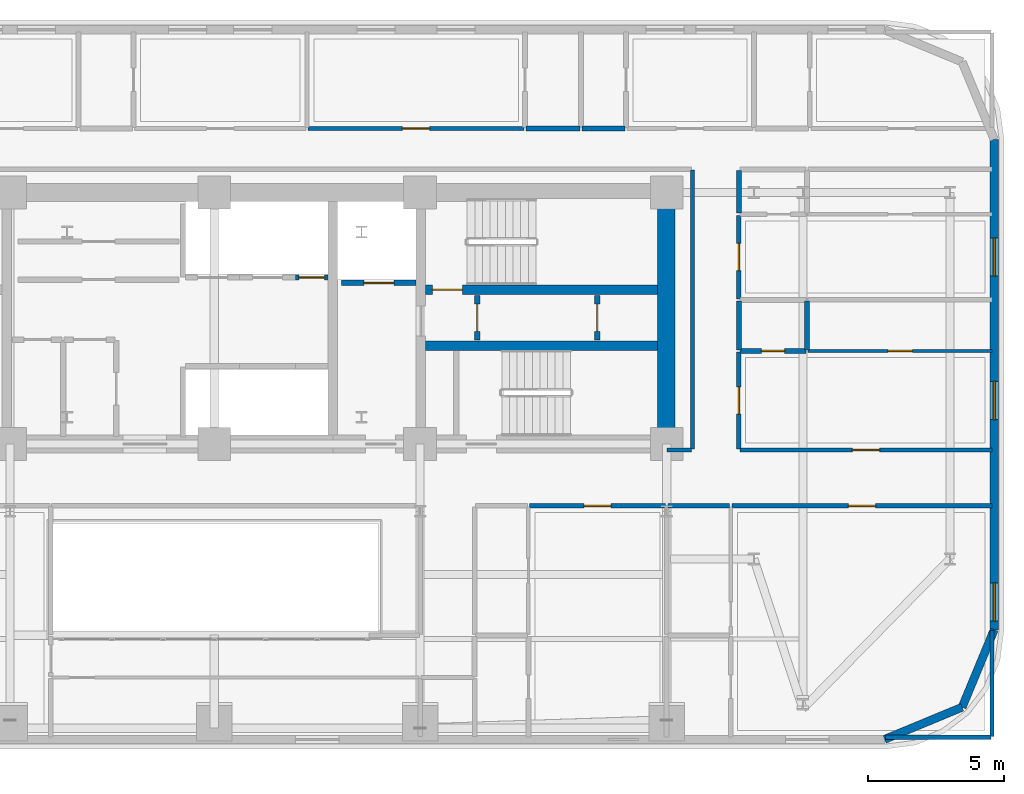
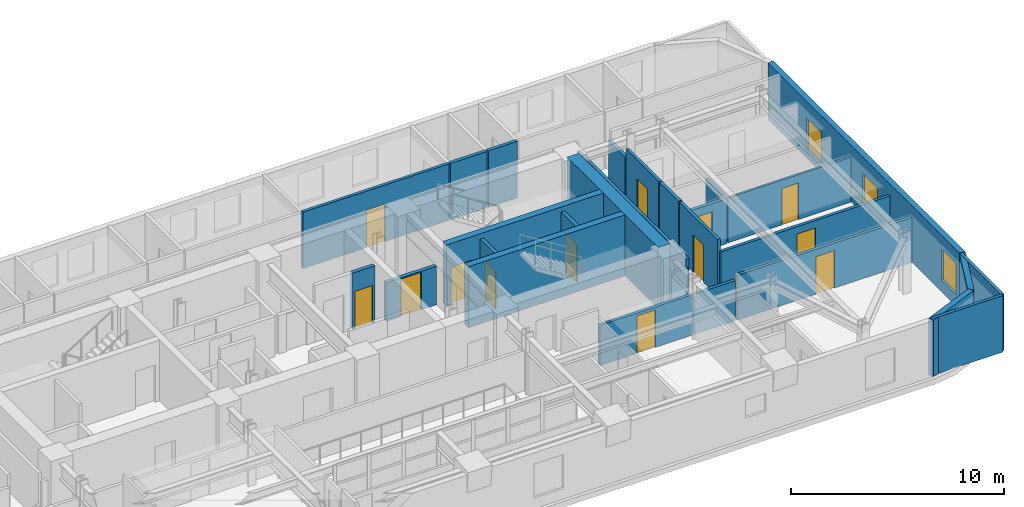
# One storey, part 12 of 16: 28 walls, 13 doors, 3 windows, 16 openings.
"""IFC4 building model written with IfcOpenShell, lengths in metres."""

from ifc_helpers import new_model, si_unit, direction, frame, frame_2d, origin, place, context, subcontext, project, spatial, rectangle, extrude, material, layer, layer_set, type_object, element, fill, save


model = new_model("IFC4")

# Units and contexts
model_context = context("Model", 3, precision=1e-05, world=origin(), true_north=direction((0.0, 1.0)))
body_context = subcontext(model_context, "Body", "Model", "MODEL_VIEW")
ifc_project = project(units=[si_unit("LENGTHUNIT", "METRE"), si_unit("AREAUNIT", "SQUARE_METRE"), si_unit("VOLUMEUNIT", "CUBIC_METRE"), si_unit("PLANEANGLEUNIT", "RADIAN"), si_unit("MASSUNIT", "GRAM", prefix="KILO")], contexts=[model_context])

# Site, building, storey
site_placement = place(None, origin())
site = spatial("IfcSite", under=ifc_project, at=site_placement, CompositionType="ELEMENT")
building_placement = place(site_placement, origin())
building = spatial("IfcBuilding", under=site, at=building_placement, Name="Zarnavel Station Tower", CompositionType="ELEMENT")
storey_placement = place(building_placement, frame((0.0, 0.0, 94.300048828125)))
storey = spatial("IfcBuildingStorey", under=building, at=storey_placement, Name="L25", CompositionType="ELEMENT", Elevation=94.300048828125)

# Wall, opening, door
ifc_material_1 = material(Name="Concrete C50/60", Category="concrete")
ifc_layer_1 = layer(ifc_material_1, 0.35009765625)
ifc_layer_set_1 = layer_set([ifc_layer_1], Name="CW_350")
wall_type_1 = type_object("IfcWallType", Name="CW_350", PredefinedType="SHEAR", material=ifc_layer_set_1)
wall_1_placement = place(storey_placement, frame((45.054931640625, 33.47998046875, 0.0), z_axis=(0.0, 0.0, 1.0), x_axis=(-1.0, 0.0, 0.0)))
wall_1 = element("IfcWall", 1, at=wall_1_placement, inside=storey, type_object=wall_type_1, Name="L25 Rear Core Shear Wall DIV-H2", PredefinedType="SHEAR", context=body_context, shape_type="SweptSolid", body=[
    extrude(rectangle(XDim=8.5, YDim=0.35009765625, at=frame_2d((4.25, 0.0))), origin(), (0.0, 0.0, 1.0), 3.5),
])
opening_1_placement = place(wall_1_placement, frame((7.155029296875, 0.0, 0.0)))
opening_1 = element("IfcOpeningElement", 2, at=opening_1_placement, cuts=wall_1, Name="Opening FD01", PredefinedType="OPENING", context=body_context, shape_type="SweptSolid", body=[
    extrude(rectangle(XDim=1.10009765625, YDim=2.14990234375, at=frame_2d((0.550048828125, 1.074951171875))), frame((0.0, 0.18505859375, 0.0), z_axis=(0.0, -1.0, 0.0), x_axis=(1.0, 0.0, 0.0)), (0.0, 0.0, 1.0), 0.3701171875),
])
ifc_material_2 = material(Name="Painted Galvanised Steel and Hardwood Leaf", Category="steel")
door_type_1 = type_object("IfcDoorType", Name="ID_STAIR_1100", OperationType="NOTDEFINED", PredefinedType="DOOR", material=ifc_material_2)
door_1_placement = place(opening_1_placement, origin())
door_1 = element("IfcDoor", 3, at=door_1_placement, inside=storey, type_object=door_type_1, Name="L25 Stair ST2 Lobby Fire Door", OperationType="SINGLE_SWING_RIGHT", OverallHeight=2.14990234375, OverallWidth=1.10009765625, PredefinedType="DOOR", context=body_context, shape_type="SweptSolid", body=[
    extrude(rectangle(XDim=1.10009765625, YDim=2.14990234375, at=frame_2d((0.550048828125, 1.074951171875))), frame((0.0, 0.02490234375, 0.0), z_axis=(0.0, -1.0, 0.0), x_axis=(1.0, 0.0, 0.0)), (0.0, 0.0, 1.0), 0.050048828125),
])
fill(opening_1, door_1)

# Walls
wall_2_placement = place(storey_placement, frame((36.554931640625, 31.419921875, 0.0), z_axis=(0.0, 0.0, 1.0), x_axis=(1.0, 0.0, 0.0)))
element("IfcWall", 4, at=wall_2_placement, inside=storey, type_object=wall_type_1, Name="L25 Rear Core Shear Wall DIV-H3", PredefinedType="SHEAR", context=body_context, shape_type="SweptSolid", body=[
    extrude(rectangle(XDim=8.5, YDim=0.35009765625, at=frame_2d((4.25, 0.0))), origin(), (0.0, 0.0, 1.0), 3.5),
])
ifc_material_3 = material(Name="Concrete C60/75", Category="concrete")
ifc_layer_2 = layer(ifc_material_3, 0.64990234375)
ifc_layer_set_2 = layer_set([ifc_layer_2], Name="CW_650")
wall_type_2 = type_object("IfcWallType", Name="CW_650", PredefinedType="SHEAR", material=ifc_layer_set_2)
wall_3_placement = place(storey_placement, frame((45.3798828125, 28.14501953125, 0.0), z_axis=(0.0, 0.0, 1.0), x_axis=(0.0, 1.0, 0.0)))
element("IfcWall", 5, at=wall_3_placement, inside=storey, type_object=wall_type_2, Name="L25 Rear Core Shear Wall E", PredefinedType="SHEAR", context=body_context, shape_type="SweptSolid", body=[
    extrude(rectangle(XDim=8.580078125, YDim=0.64990234375, at=frame_2d((4.2900390625, 0.0))), origin(), (0.0, 0.0, 1.0), 3.5),
])
ifc_material_4 = material(Name="Precast concrete C45/55 (Dark Basalt Finish)", Category="masonry")
ifc_layer_3 = layer(ifc_material_4, 0.300048828125)
ifc_layer_set_3 = layer_set([ifc_layer_3], Name="EW_BASALT_300")
wall_type_3 = type_object("IfcWallType", Name="EW_BASALT_300", PredefinedType="SOLIDWALL", material=ifc_layer_set_3)
wall_4_placement = place(storey_placement, frame((56.24267578125, 18.157470703125, 0.0), z_axis=(0.0, 0.0, 1.0), x_axis=(-0.923882414032, -0.382676475685, 0.0)))
element("IfcWall", 6, at=wall_4_placement, inside=storey, type_object=wall_type_3, Name="L25 Exterior Basalt Masonry Frame Wall 01", PredefinedType="SOLIDWALL", context=body_context, shape_type="SweptSolid", body=[
    extrude(rectangle(XDim=3.076904296875, YDim=0.300048828125, at=frame_2d((1.53857421875, 0.0))), origin(), (0.0, 0.0, 1.0), 3.239990234375),
])
wall_5_placement = place(storey_placement, frame((57.419921875, 21.0, 0.0), z_axis=(0.0, 0.0, 1.0), x_axis=(-0.382636798336, -0.92389884758, 0.0)))
element("IfcWall", 7, at=wall_5_placement, inside=storey, type_object=wall_type_3, Name="L25 Exterior Basalt Masonry Frame Wall 02", PredefinedType="SOLIDWALL", context=body_context, shape_type="SweptSolid", body=[
    extrude(rectangle(XDim=3.07666015625, YDim=0.300048828125, at=frame_2d((1.538330078125, 0.0))), origin(), (0.0, 0.0, 1.0), 3.239990234375),
])

# Wall, openings, windows
wall_6_placement = place(storey_placement, frame((57.419921875, 39.0, 0.0), z_axis=(0.0, 0.0, 1.0), x_axis=(0.0, -1.0, 0.0)))
wall_6 = element("IfcWall", 8, at=wall_6_placement, inside=storey, type_object=wall_type_3, Name="L25 Exterior Basalt Masonry Frame Wall 03", PredefinedType="SOLIDWALL", context=body_context, shape_type="SweptSolid", body=[
    extrude(rectangle(XDim=18.0, YDim=0.300048828125, at=frame_2d((9.0, 0.0))), origin(), (0.0, 0.0, 1.0), 3.239990234375),
])
opening_2_placement = place(wall_6_placement, frame((8.882080078125, 0.0, 0.47998046875)))
opening_2 = element("IfcOpeningElement", 9, at=opening_2_placement, cuts=wall_6, Name="Opening WN01", PredefinedType="OPENING", context=body_context, shape_type="SweptSolid", body=[
    extrude(rectangle(XDim=1.39990234375, YDim=1.800048828125, at=frame_2d((0.699951171875, 0.89990234375))), frame((0.0, 0.159912109375, 0.0), z_axis=(0.0, -1.0, 0.0), x_axis=(1.0, 0.0, 0.0)), (0.0, 0.0, 1.0), 0.320068359375),
])
opening_3_placement = place(wall_6_placement, frame((3.62060546875, 0.0, 0.47998046875)))
opening_3 = element("IfcOpeningElement", 10, at=opening_3_placement, cuts=wall_6, Name="Opening WN01", PredefinedType="OPENING", context=body_context, shape_type="SweptSolid", body=[
    extrude(rectangle(XDim=1.39990234375, YDim=1.800048828125, at=frame_2d((0.699951171875, 0.89990234375))), frame((0.0, 0.159912109375, 0.0), z_axis=(0.0, -1.0, 0.0), x_axis=(1.0, 0.0, 0.0)), (0.0, 0.0, 1.0), 0.320068359375),
])
opening_4_placement = place(wall_6_placement, frame((16.280029296875, 0.0, 0.64990234375)))
opening_4 = element("IfcOpeningElement", 11, at=opening_4_placement, cuts=wall_6, Name="Opening WN01", PredefinedType="OPENING", context=body_context, shape_type="SweptSolid", body=[
    extrude(rectangle(XDim=1.39990234375, YDim=1.800048828125, at=frame_2d((0.699951171875, 0.89990234375))), frame((0.0, 0.159912109375, 0.0), z_axis=(0.0, -1.0, 0.0), x_axis=(1.0, 0.0, 0.0)), (0.0, 0.0, 1.0), 0.320068359375),
])
ifc_material_5 = material(Name="Thermally Broken Black Aluminium and Low-E Dark Glass", Category="aluminium")
window_type = type_object("IfcWindowType", Name="WN_1400x1800", PartitioningType="DOUBLE_PANEL_VERTICAL", PredefinedType="WINDOW", material=ifc_material_5)
window_1_placement = place(opening_2_placement, origin())
window_1 = element("IfcWindow", 12, at=window_1_placement, inside=storey, type_object=window_type, Name="L25 Recessed Facade Window 01", OverallHeight=1.800048828125, OverallWidth=1.39990234375, PartitioningType="SINGLE_PANEL", PredefinedType="WINDOW", context=body_context, shape_type="SweptSolid", body=[
    extrude(rectangle(XDim=1.39990234375, YDim=1.800048828125, at=frame_2d((0.699951171875, 0.89990234375))), frame((0.0, 0.030029296875, 0.0), z_axis=(0.0, -1.0, 0.0), x_axis=(1.0, 0.0, 0.0)), (0.0, 0.0, 1.0), 0.06005859375),
])
fill(opening_2, window_1)
window_2_placement = place(opening_3_placement, origin())
window_2 = element("IfcWindow", 13, at=window_2_placement, inside=storey, type_object=window_type, Name="L25 Recessed Facade Window 02", OverallHeight=1.800048828125, OverallWidth=1.39990234375, PartitioningType="SINGLE_PANEL", PredefinedType="WINDOW", context=body_context, shape_type="SweptSolid", body=[
    extrude(rectangle(XDim=1.39990234375, YDim=1.800048828125, at=frame_2d((0.699951171875, 0.89990234375))), frame((0.0, 0.030029296875, 0.0), z_axis=(0.0, -1.0, 0.0), x_axis=(1.0, 0.0, 0.0)), (0.0, 0.0, 1.0), 0.06005859375),
])
fill(opening_3, window_2)
window_3_placement = place(opening_4_placement, origin())
window_3 = element("IfcWindow", 14, at=window_3_placement, inside=storey, type_object=window_type, Name="L25 Recessed Facade Window 03", OverallHeight=1.800048828125, OverallWidth=1.39990234375, PartitioningType="SINGLE_PANEL", PredefinedType="WINDOW", context=body_context, shape_type="SweptSolid", body=[
    extrude(rectangle(XDim=1.39990234375, YDim=1.800048828125, at=frame_2d((0.699951171875, 0.89990234375))), frame((0.0, 0.030029296875, 0.0), z_axis=(0.0, -1.0, 0.0), x_axis=(1.0, 0.0, 0.0)), (0.0, 0.0, 1.0), 0.06005859375),
])
fill(opening_4, window_3)

# Wall, opening, door
ifc_material_6 = material(Name="Gypsum Twin-Stud Acoustic Fire Partition", Category="concrete")
ifc_layer_4 = layer(ifc_material_6, 0.159912109375)
ifc_layer_set_4 = layer_set([ifc_layer_4], Name="PT_DEMISE_160")
wall_type_4 = type_object("IfcWallType", Name="PT_DEMISE_160", PredefinedType="PARTITIONING", material=ifc_layer_set_4)
wall_7_placement = place(storey_placement, frame((48.090087890625, 27.60009765625, 0.0), z_axis=(0.0, 0.0, 1.0), x_axis=(1.0, 0.0, 0.0)))
wall_7 = element("IfcWall", 15, at=wall_7_placement, inside=storey, type_object=wall_type_4, Name="L25 Partition COR-S-FNE1R", PredefinedType="PARTITIONING", context=body_context, shape_type="SweptSolid", body=[
    extrude(rectangle(XDim=9.25, YDim=0.159912109375, at=frame_2d((4.625, 0.0))), origin(), (0.0, 0.0, 1.0), 2.570068359375),
])
opening_5_placement = place(wall_7_placement, frame((4.125, 0.0, 0.0)))
opening_5 = element("IfcOpeningElement", 16, at=opening_5_placement, cuts=wall_7, Name="Opening FD02", PredefinedType="OPENING", context=body_context, shape_type="SweptSolid", body=[
    extrude(rectangle(XDim=1.0, YDim=2.14990234375, at=frame_2d((0.5, 1.074951171875))), frame((0.0, 0.08984375, 0.0), z_axis=(0.0, -1.0, 0.0), x_axis=(1.0, 0.0, 0.0)), (0.0, 0.0, 1.0), 0.179931640625),
])
ifc_material_7 = material(Name="Painted Galvanised Steel and Hardwood Leaf", Category="steel")
door_type_2 = type_object("IfcDoorType", Name="ID_ENTRY_1000", OperationType="NOTDEFINED", PredefinedType="DOOR", material=ifc_material_7)
door_2_placement = place(opening_5_placement, origin())
door_2 = element("IfcDoor", 17, at=door_2_placement, inside=storey, type_object=door_type_2, Name="L25 Door COR-S-FNE1R", OperationType="SINGLE_SWING_RIGHT", OverallHeight=2.14990234375, OverallWidth=1.0, PredefinedType="DOOR", context=body_context, shape_type="SweptSolid", body=[
    extrude(rectangle(XDim=1.0, YDim=2.14990234375, at=frame_2d((0.5, 1.074951171875))), frame((0.0, 0.02490234375, 0.0), z_axis=(0.0, -1.0, 0.0), x_axis=(1.0, 0.0, 0.0)), (0.0, 0.0, 1.0), 0.050048828125),
])
fill(opening_5, door_2)

wall_8_placement = place(storey_placement, frame((40.364013671875, 25.550048828125, 0.0), z_axis=(0.0, 0.0, 1.0), x_axis=(1.0, 0.0, 0.0)))
wall_8 = element("IfcWall", 18, at=wall_8_placement, inside=storey, type_object=wall_type_4, Name="L25 Partition COR-S-HE1R", PredefinedType="PARTITIONING", context=body_context, shape_type="SweptSolid", body=[
    extrude(rectangle(XDim=4.99609375, YDim=0.159912109375, at=frame_2d((2.498046875, 0.0))), origin(), (0.0, 0.0, 1.0), 2.31005859375),
])
opening_6_placement = place(wall_8_placement, frame((1.998046875, 0.0, 0.0)))
opening_6 = element("IfcOpeningElement", 19, at=opening_6_placement, cuts=wall_8, Name="Opening FD02", PredefinedType="OPENING", context=body_context, shape_type="SweptSolid", body=[
    extrude(rectangle(XDim=1.0, YDim=2.14990234375, at=frame_2d((0.5, 1.074951171875))), frame((0.0, 0.08984375, 0.0), z_axis=(0.0, -1.0, 0.0), x_axis=(1.0, 0.0, 0.0)), (0.0, 0.0, 1.0), 0.179931640625),
])
door_3_placement = place(opening_6_placement, origin())
door_3 = element("IfcDoor", 20, at=door_3_placement, inside=storey, type_object=door_type_2, Name="L25 Door COR-S-HE1R", OperationType="SINGLE_SWING_LEFT", OverallHeight=2.14990234375, OverallWidth=1.0, PredefinedType="DOOR", context=body_context, shape_type="SweptSolid", body=[
    extrude(rectangle(XDim=1.0, YDim=2.14990234375, at=frame_2d((0.5, 1.074951171875))), frame((0.0, 0.02490234375, 0.0), z_axis=(0.0, -1.0, 0.0), x_axis=(1.0, 0.0, 0.0)), (0.0, 0.0, 1.0), 0.050048828125),
])
fill(opening_6, door_3)

wall_9_placement = place(storey_placement, frame((47.7900390625, 25.550048828125, 0.0), z_axis=(0.0, 0.0, 1.0), x_axis=(1.0, 0.0, 0.0)))
wall_9 = element("IfcWall", 21, at=wall_9_placement, inside=storey, type_object=wall_type_4, Name="L25 Partition COR-S-HE2R", PredefinedType="PARTITIONING", context=body_context, shape_type="SweptSolid", body=[
    extrude(rectangle(XDim=9.550048828125, YDim=0.159912109375, at=frame_2d((4.77490234375, 0.0))), origin(), (0.0, 0.0, 1.0), 2.570068359375),
])
opening_7_placement = place(wall_9_placement, frame((4.27490234375, 0.0, 0.0)))
opening_7 = element("IfcOpeningElement", 22, at=opening_7_placement, cuts=wall_9, Name="Opening FD02", PredefinedType="OPENING", context=body_context, shape_type="SweptSolid", body=[
    extrude(rectangle(XDim=1.0, YDim=2.14990234375, at=frame_2d((0.5, 1.074951171875))), frame((0.0, 0.08984375, 0.0), z_axis=(0.0, -1.0, 0.0), x_axis=(1.0, 0.0, 0.0)), (0.0, 0.0, 1.0), 0.179931640625),
])
door_4_placement = place(opening_7_placement, origin())
door_4 = element("IfcDoor", 23, at=door_4_placement, inside=storey, type_object=door_type_2, Name="L25 Door COR-S-HE2R", OperationType="SINGLE_SWING_RIGHT", OverallHeight=2.14990234375, OverallWidth=1.0, PredefinedType="DOOR", context=body_context, shape_type="SweptSolid", body=[
    extrude(rectangle(XDim=1.0, YDim=2.14990234375, at=frame_2d((0.5, 1.074951171875))), frame((0.0, 0.02490234375, 0.0), z_axis=(0.0, -1.0, 0.0), x_axis=(1.0, 0.0, 0.0)), (0.0, 0.0, 1.0), 0.050048828125),
])
fill(opening_7, door_4)

# Wall
wall_10_placement = place(storey_placement, frame((45.43994140625, 25.550048828125, 0.0), z_axis=(0.0, 0.0, 1.0), x_axis=(1.0, 0.0, 0.0)))
element("IfcWall", 24, at=wall_10_placement, inside=storey, type_object=wall_type_4, Name="L25 Partition COR-S-HE2S", PredefinedType="PARTITIONING", context=body_context, shape_type="SweptSolid", body=[
    extrude(rectangle(XDim=2.27001953125, YDim=0.159912109375, at=frame_2d((1.135009765625, 0.0))), origin(), (0.0, 0.0, 1.0), 2.31005859375),
])

# Wall, opening, door
wall_11_placement = place(storey_placement, frame((48.050048828125, 27.639892578125, 0.0), z_axis=(0.0, 0.0, 1.0), x_axis=(0.0, 1.0, 0.0)))
wall_11 = element("IfcWall", 25, at=wall_11_placement, inside=storey, type_object=wall_type_4, Name="L25 Partition COR-E-FNE1R", PredefinedType="PARTITIONING", context=body_context, shape_type="SweptSolid", body=[
    extrude(rectangle(XDim=3.55615234375, YDim=0.159912109375, at=frame_2d((1.778076171875, 0.0))), origin(), (0.0, 0.0, 1.0), 3.239990234375),
])
opening_8_placement = place(wall_11_placement, frame((1.278076171875, 0.0, 0.0)))
opening_8 = element("IfcOpeningElement", 26, at=opening_8_placement, cuts=wall_11, Name="Opening FD02", PredefinedType="OPENING", context=body_context, shape_type="SweptSolid", body=[
    extrude(rectangle(XDim=1.0, YDim=2.14990234375, at=frame_2d((0.5, 1.074951171875))), frame((0.0, 0.08984375, 0.0), z_axis=(0.0, -1.0, 0.0), x_axis=(1.0, 0.0, 0.0)), (0.0, 0.0, 1.0), 0.179931640625),
])
door_5_placement = place(opening_8_placement, origin())
door_5 = element("IfcDoor", 27, at=door_5_placement, inside=storey, type_object=door_type_2, Name="L25 Door COR-E-FNE1R", OperationType="SINGLE_SWING_LEFT", OverallHeight=2.14990234375, OverallWidth=1.0, PredefinedType="DOOR", context=body_context, shape_type="SweptSolid", body=[
    extrude(rectangle(XDim=1.0, YDim=2.14990234375, at=frame_2d((0.5, 1.074951171875))), frame((0.0, 0.02490234375, 0.0), z_axis=(0.0, -1.0, 0.0), x_axis=(1.0, 0.0, 0.0)), (0.0, 0.0, 1.0), 0.050048828125),
])
fill(opening_8, door_5)

wall_12_placement = place(storey_placement, frame((48.050048828125, 33.14892578125, 0.0), z_axis=(0.0, 0.0, 1.0), x_axis=(0.0, 1.0, 0.0)))
wall_12 = element("IfcWall", 28, at=wall_12_placement, inside=storey, type_object=wall_type_4, Name="L25 Partition COR-E-FNE2R", PredefinedType="PARTITIONING", context=body_context, shape_type="SweptSolid", body=[
    extrude(rectangle(XDim=3.06103515625, YDim=0.159912109375, at=frame_2d((1.530517578125, 0.0))), origin(), (0.0, 0.0, 1.0), 3.239990234375),
])
opening_9_placement = place(wall_12_placement, frame((1.030517578125, 0.0, 0.0)))
opening_9 = element("IfcOpeningElement", 29, at=opening_9_placement, cuts=wall_12, Name="Opening FD02", PredefinedType="OPENING", context=body_context, shape_type="SweptSolid", body=[
    extrude(rectangle(XDim=1.0, YDim=2.14990234375, at=frame_2d((0.5, 1.074951171875))), frame((0.0, 0.08984375, 0.0), z_axis=(0.0, -1.0, 0.0), x_axis=(1.0, 0.0, 0.0)), (0.0, 0.0, 1.0), 0.179931640625),
])
door_6_placement = place(opening_9_placement, origin())
door_6 = element("IfcDoor", 30, at=door_6_placement, inside=storey, type_object=door_type_2, Name="L25 Door COR-E-FNE2R", OperationType="SINGLE_SWING_RIGHT", OverallHeight=2.14990234375, OverallWidth=1.0, PredefinedType="DOOR", context=body_context, shape_type="SweptSolid", body=[
    extrude(rectangle(XDim=1.0, YDim=2.14990234375, at=frame_2d((0.5, 1.074951171875))), frame((0.0, 0.02490234375, 0.0), z_axis=(0.0, -1.0, 0.0), x_axis=(1.0, 0.0, 0.0)), (0.0, 0.0, 1.0), 0.050048828125),
])
fill(opening_9, door_6)

wall_13_placement = place(storey_placement, frame((32.239990234375, 39.39990234375, 0.0), z_axis=(0.0, 0.0, 1.0), x_axis=(1.0, 0.0, 0.0)))
wall_13 = element("IfcWall", 31, at=wall_13_placement, inside=storey, type_object=wall_type_4, Name="L25 Partition COR-N-HN4R", PredefinedType="PARTITIONING", context=body_context, shape_type="SweptSolid", body=[
    extrude(rectangle(XDim=7.926025390625, YDim=0.159912109375, at=frame_2d((3.962890625, 0.0))), origin(), (0.0, 0.0, 1.0), 3.239990234375),
])
opening_10_placement = place(wall_13_placement, frame((3.462890625, 0.0, 0.0)))
opening_10 = element("IfcOpeningElement", 32, at=opening_10_placement, cuts=wall_13, Name="Opening FD02", PredefinedType="OPENING", context=body_context, shape_type="SweptSolid", body=[
    extrude(rectangle(XDim=1.0, YDim=2.14990234375, at=frame_2d((0.5, 1.074951171875))), frame((0.0, 0.08984375, 0.0), z_axis=(0.0, -1.0, 0.0), x_axis=(1.0, 0.0, 0.0)), (0.0, 0.0, 1.0), 0.179931640625),
])
door_7_placement = place(opening_10_placement, origin())
door_7 = element("IfcDoor", 33, at=door_7_placement, inside=storey, type_object=door_type_2, Name="L25 Door COR-N-HN4R", OperationType="SINGLE_SWING_LEFT", OverallHeight=2.14990234375, OverallWidth=1.0, PredefinedType="DOOR", context=body_context, shape_type="SweptSolid", body=[
    extrude(rectangle(XDim=1.0, YDim=2.14990234375, at=frame_2d((0.5, 1.074951171875))), frame((0.0, 0.02490234375, 0.0), z_axis=(0.0, -1.0, 0.0), x_axis=(1.0, 0.0, 0.0)), (0.0, 0.0, 1.0), 0.050048828125),
])
fill(opening_10, door_7)

# Walls
wall_14_placement = place(storey_placement, frame((45.409912109375, 27.60009765625, 0.0), z_axis=(0.0, 0.0, 1.0), x_axis=(1.0, 0.0, 0.0)))
element("IfcWall", 34, at=wall_14_placement, inside=storey, type_object=wall_type_4, Name="L25 Enclosure Wall COR-S", PredefinedType="PARTITIONING", context=body_context, shape_type="SweptSolid", body=[
    extrude(rectangle(XDim=0.91015625, YDim=0.159912109375, at=frame_2d((0.455078125, 0.0))), origin(), (0.0, 0.0, 1.0), 2.280029296875),
])
wall_15_placement = place(storey_placement, frame((46.35009765625, 27.6298828125, 0.0), z_axis=(0.0, 0.0, 1.0), x_axis=(0.0, 1.0, 0.0)))
element("IfcWall", 35, at=wall_15_placement, inside=storey, type_object=wall_type_4, Name="L25 Enclosure Wall COR-E", PredefinedType="PARTITIONING", context=body_context, shape_type="SweptSolid", body=[
    extrude(rectangle(XDim=10.240234375, YDim=0.159912109375, at=frame_2d((5.1201171875, 0.0))), origin(), (0.0, 0.0, 1.0), 2.719970703125),
])
wall_16_placement = place(storey_placement, frame((53.429931640625, 17.06005859375, 0.0), z_axis=(0.0, 0.0, 1.0), x_axis=(1.0, 0.0, 0.0)))
element("IfcWall", 36, at=wall_16_placement, inside=storey, type_object=wall_type_4, Name="L25 Enclosure Wall HE2R", PredefinedType="PARTITIONING", context=body_context, shape_type="SweptSolid", body=[
    extrude(rectangle(XDim=3.880126953125, YDim=0.159912109375, at=frame_2d((1.93994140625, 0.0))), origin(), (0.0, 0.0, 1.0), 3.239990234375),
])
wall_17_placement = place(storey_placement, frame((57.340087890625, 17.090087890625, 0.0), z_axis=(0.0, 0.0, 1.0), x_axis=(0.0, 1.0, 0.0)))
element("IfcWall", 37, at=wall_17_placement, inside=storey, type_object=wall_type_4, Name="L25 Enclosure Wall HE2R", PredefinedType="PARTITIONING", context=body_context, shape_type="SweptSolid", body=[
    extrude(rectangle(XDim=3.8798828125, YDim=0.159912109375, at=frame_2d((1.93994140625, 0.0))), origin(), (0.0, 0.0, 1.0), 3.239990234375),
])

# Wall, opening, door
ifc_material_8 = material(Name="Gypsum Metal-Stud Interior Partition", Category="concrete")
ifc_layer_5 = layer(ifc_material_8, 0.1201171875)
ifc_layer_set_5 = layer_set([ifc_layer_5], Name="PT_ROOM_120")
wall_type_5 = type_object("IfcWallType", Name="PT_ROOM_120", PredefinedType="PARTITIONING", material=ifc_layer_set_5)
wall_18_placement = place(storey_placement, frame((50.590087890625, 31.236083984375, 0.0), z_axis=(0.0, 0.0, 1.0), x_axis=(1.0, 0.0, 0.0)))
wall_18 = element("IfcWall", 38, at=wall_18_placement, inside=storey, type_object=wall_type_5, Name="L25 Partition FNE1R-FNE1S", PredefinedType="PARTITIONING", context=body_context, shape_type="SweptSolid", body=[
    extrude(rectangle(XDim=6.75, YDim=0.1201171875, at=frame_2d((3.375, 0.0))), origin(), (0.0, 0.0, 1.0), 2.570068359375),
])
opening_11_placement = place(wall_18_placement, frame((2.925048828125, 0.0, 0.0)))
opening_11 = element("IfcOpeningElement", 39, at=opening_11_placement, cuts=wall_18, Name="Opening ID01", PredefinedType="OPENING", context=body_context, shape_type="SweptSolid", body=[
    extrude(rectangle(XDim=0.89990234375, YDim=2.10009765625, at=frame_2d((0.449951171875, 1.050048828125))), frame((0.0, 0.070068359375, 0.0), z_axis=(0.0, -1.0, 0.0), x_axis=(1.0, 0.0, 0.0)), (0.0, 0.0, 1.0), 0.14013671875),
])
ifc_material_9 = material(Name="Painted Galvanised Steel and Hardwood Leaf", Category="steel")
door_type_3 = type_object("IfcDoorType", Name="ID_ROOM_900", OperationType="NOTDEFINED", PredefinedType="DOOR", material=ifc_material_9)
door_8_placement = place(opening_11_placement, origin())
door_8 = element("IfcDoor", 40, at=door_8_placement, inside=storey, type_object=door_type_3, Name="L25 Door FNE1R-FNE1S", OperationType="SINGLE_SWING_LEFT", OverallHeight=2.10009765625, OverallWidth=0.89990234375, PredefinedType="DOOR", context=body_context, shape_type="SweptSolid", body=[
    extrude(rectangle(XDim=0.89990234375, YDim=2.10009765625, at=frame_2d((0.449951171875, 1.050048828125))), frame((0.0, 0.02490234375, 0.0), z_axis=(0.0, -1.0, 0.0), x_axis=(1.0, 0.0, 0.0)), (0.0, 0.0, 1.0), 0.050048828125),
])
fill(opening_11, door_8)

ifc_material_10 = material(Name="Precast concrete C45/55 (Fire Shaft Blockwork)", Category="masonry")
ifc_layer_6 = layer(ifc_material_10, 0.199951171875)
ifc_layer_set_6 = layer_set([ifc_layer_6], Name="PT_SHAFT_200")
wall_type_6 = type_object("IfcWallType", Name="PT_SHAFT_200", PredefinedType="PARTITIONING", material=ifc_layer_set_6)
wall_19_placement = place(storey_placement, frame((33.47509765625, 33.72998046875, 0.0), z_axis=(0.0, 0.0, 1.0), x_axis=(1.0, 0.0, 0.0)))
wall_19 = element("IfcWall", 41, at=wall_19_placement, inside=storey, type_object=wall_type_6, Name="L25 Lift FFL-02 Shaft Front Wall", PredefinedType="PARTITIONING", context=body_context, shape_type="SweptSolid", body=[
    extrude(rectangle(XDim=2.724853515625, YDim=0.199951171875, at=frame_2d((1.3623046875, 0.0))), origin(), (0.0, 0.0, 1.0), 2.2119140625),
])
opening_12_placement = place(wall_19_placement, frame((0.8125, 0.0, 0.0)))
opening_12 = element("IfcOpeningElement", 42, at=opening_12_placement, cuts=wall_19, Name="Opening LD01", PredefinedType="OPENING", context=body_context, shape_type="SweptSolid", body=[
    extrude(rectangle(XDim=1.10009765625, YDim=2.14990234375, at=frame_2d((0.550048828125, 1.074951171875))), frame((0.0, 0.10986328125, 0.0), z_axis=(0.0, -1.0, 0.0), x_axis=(1.0, 0.0, 0.0)), (0.0, 0.0, 1.0), 0.219970703125),
])
ifc_material_11 = material(Name="Painted Galvanised Steel and Hardwood Leaf", Category="steel")
door_type_4 = type_object("IfcDoorType", Name="LD_FF_1100", OperationType="DOUBLE_DOOR_SLIDING", PredefinedType="DOOR", material=ifc_material_11)
door_9_placement = place(opening_12_placement, origin())
door_9 = element("IfcDoor", 43, at=door_9_placement, inside=storey, type_object=door_type_4, Name="L25 Lift FFL-02 Sliding Landing Door", OperationType="DOUBLE_DOOR_SLIDING", OverallHeight=2.14990234375, OverallWidth=1.10009765625, PredefinedType="DOOR", context=body_context, shape_type="SweptSolid", body=[
    extrude(rectangle(XDim=1.10009765625, YDim=2.14990234375, at=frame_2d((0.550048828125, 1.074951171875))), frame((0.0, 0.02490234375, 0.0), z_axis=(0.0, -1.0, 0.0), x_axis=(1.0, 0.0, 0.0)), (0.0, 0.0, 1.0), 0.050048828125),
])
fill(opening_12, door_9)

wall_20_placement = place(storey_placement, frame((31.77490234375, 33.929931640625, 0.0), z_axis=(0.0, 0.0, 1.0), x_axis=(1.0, 0.0, 0.0)))
wall_20 = element("IfcWall", 44, at=wall_20_placement, inside=storey, type_object=wall_type_6, Name="L25 Lift PL-M3 Shaft Front Wall", PredefinedType="PARTITIONING", context=body_context, shape_type="SweptSolid", body=[
    extrude(rectangle(XDim=1.2001953125, YDim=0.199951171875, at=frame_2d((0.60009765625, 0.0))), origin(), (0.0, 0.0, 1.0), 3.239990234375),
])
opening_13_placement = place(wall_20_placement, frame((0.125, 0.0, 0.0)))
opening_13 = element("IfcOpeningElement", 45, at=opening_13_placement, cuts=wall_20, Name="Opening LD03", PredefinedType="OPENING", context=body_context, shape_type="SweptSolid", body=[
    extrude(rectangle(XDim=0.949951171875, YDim=2.14990234375, at=frame_2d((0.47509765625, 1.074951171875))), frame((0.0, 0.10986328125, 0.0), z_axis=(0.0, -1.0, 0.0), x_axis=(1.0, 0.0, 0.0)), (0.0, 0.0, 1.0), 0.219970703125),
])
ifc_material_12 = material(Name="Painted Galvanised Steel and Hardwood Leaf", Category="steel")
door_type_5 = type_object("IfcDoorType", Name="LD_PAX_0950", OperationType="DOUBLE_DOOR_SLIDING", PredefinedType="DOOR", material=ifc_material_12)
door_10_placement = place(opening_13_placement, origin())
door_10 = element("IfcDoor", 46, at=door_10_placement, inside=storey, type_object=door_type_5, Name="L25 Lift PL-M3 Sliding Landing Door", OperationType="DOUBLE_DOOR_SLIDING", OverallHeight=2.14990234375, OverallWidth=0.949951171875, PredefinedType="DOOR", context=body_context, shape_type="SweptSolid", body=[
    extrude(rectangle(XDim=0.949951171875, YDim=2.14990234375, at=frame_2d((0.47509765625, 1.074951171875))), frame((0.0, 0.02490234375, 0.0), z_axis=(0.0, -1.0, 0.0), x_axis=(1.0, 0.0, 0.0)), (0.0, 0.0, 1.0), 0.050048828125),
])
fill(opening_13, door_10)

wall_21_placement = place(storey_placement, frame((38.449951171875, 31.639892578125, 0.0), z_axis=(0.0, 0.0, 1.0), x_axis=(0.0, 1.0, 0.0)))
wall_21 = element("IfcWall", 47, at=wall_21_placement, inside=storey, type_object=wall_type_6, Name="L25 Partition ESTV-CEA", PredefinedType="PARTITIONING", context=body_context, shape_type="SweptSolid", body=[
    extrude(rectangle(XDim=1.6201171875, YDim=0.199951171875, at=frame_2d((0.81005859375, 0.0))), origin(), (0.0, 0.0, 1.0), 3.239990234375),
])
opening_14_placement = place(wall_21_placement, frame((0.31005859375, 0.0, 0.0)))
opening_14 = element("IfcOpeningElement", 48, at=opening_14_placement, cuts=wall_21, Name="Opening FD02", PredefinedType="OPENING", context=body_context, shape_type="SweptSolid", body=[
    extrude(rectangle(XDim=1.0, YDim=2.14990234375, at=frame_2d((0.5, 1.074951171875))), frame((0.0, 0.10986328125, 0.0), z_axis=(0.0, -1.0, 0.0), x_axis=(1.0, 0.0, 0.0)), (0.0, 0.0, 1.0), 0.219970703125),
])
door_11_placement = place(opening_14_placement, origin())
door_11 = element("IfcDoor", 49, at=door_11_placement, inside=storey, type_object=door_type_2, Name="L25 Door ESTV-CEA", OperationType="SINGLE_SWING_RIGHT", OverallHeight=2.14990234375, OverallWidth=1.0, PredefinedType="DOOR", context=body_context, shape_type="SweptSolid", body=[
    extrude(rectangle(XDim=1.0, YDim=2.14990234375, at=frame_2d((0.5, 1.074951171875))), frame((0.0, 0.02490234375, 0.0), z_axis=(0.0, -1.0, 0.0), x_axis=(1.0, 0.0, 0.0)), (0.0, 0.0, 1.0), 0.050048828125),
])
fill(opening_14, door_11)

wall_22_placement = place(storey_placement, frame((42.85009765625, 31.639892578125, 0.0), z_axis=(0.0, 0.0, 1.0), x_axis=(0.0, 1.0, 0.0)))
wall_22 = element("IfcWall", 50, at=wall_22_placement, inside=storey, type_object=wall_type_6, Name="L25 Partition CEA-CEB", PredefinedType="PARTITIONING", context=body_context, shape_type="SweptSolid", body=[
    extrude(rectangle(XDim=1.6201171875, YDim=0.199951171875, at=frame_2d((0.81005859375, 0.0))), origin(), (0.0, 0.0, 1.0), 3.239990234375),
])
opening_15_placement = place(wall_22_placement, frame((0.31005859375, 0.0, 0.0)))
opening_15 = element("IfcOpeningElement", 51, at=opening_15_placement, cuts=wall_22, Name="Opening FD02", PredefinedType="OPENING", context=body_context, shape_type="SweptSolid", body=[
    extrude(rectangle(XDim=1.0, YDim=2.14990234375, at=frame_2d((0.5, 1.074951171875))), frame((0.0, 0.10986328125, 0.0), z_axis=(0.0, -1.0, 0.0), x_axis=(1.0, 0.0, 0.0)), (0.0, 0.0, 1.0), 0.219970703125),
])
door_12_placement = place(opening_15_placement, origin())
door_12 = element("IfcDoor", 52, at=door_12_placement, inside=storey, type_object=door_type_2, Name="L25 Door CEA-CEB", OperationType="SINGLE_SWING_LEFT", OverallHeight=2.14990234375, OverallWidth=1.0, PredefinedType="DOOR", context=body_context, shape_type="SweptSolid", body=[
    extrude(rectangle(XDim=1.0, YDim=2.14990234375, at=frame_2d((0.5, 1.074951171875))), frame((0.0, 0.02490234375, 0.0), z_axis=(0.0, -1.0, 0.0), x_axis=(1.0, 0.0, 0.0)), (0.0, 0.0, 1.0), 0.050048828125),
])
fill(opening_15, door_12)

# Walls
ifc_material_13 = material(Name="Moisture-Resistant Plumbing Chase Wall", Category="concrete")
ifc_layer_7 = layer(ifc_material_13, 0.179931640625)
ifc_layer_set_7 = layer_set([ifc_layer_7], Name="PW_PLUMB_180")
wall_type_7 = type_object("IfcWallType", Name="PW_PLUMB_180", PredefinedType="PLUMBINGWALL", material=ifc_layer_set_7)
wall_23_placement = place(storey_placement, frame((48.050048828125, 31.27587890625, 0.0), z_axis=(0.0, 0.0, 1.0), x_axis=(0.0, 1.0, 0.0)))
element("IfcWall", 53, at=wall_23_placement, inside=storey, type_object=wall_type_7, Name="L25 Partition COR-E-FNE1B", PredefinedType="PLUMBINGWALL", context=body_context, shape_type="SweptSolid", body=[
    extrude(rectangle(XDim=1.793212890625, YDim=0.179931640625, at=frame_2d((0.896484375, 0.0))), origin(), (0.0, 0.0, 1.0), 3.239990234375),
])
wall_24_placement = place(storey_placement, frame((48.050048828125, 36.2900390625, 0.0), z_axis=(0.0, 0.0, 1.0), x_axis=(0.0, 1.0, 0.0)))
element("IfcWall", 54, at=wall_24_placement, inside=storey, type_object=wall_type_7, Name="L25 Partition COR-E-FNE2B", PredefinedType="PLUMBINGWALL", context=body_context, shape_type="SweptSolid", body=[
    extrude(rectangle(XDim=1.570068359375, YDim=0.179931640625, at=frame_2d((0.78515625, 0.0))), origin(), (0.0, 0.0, 1.0), 2.719970703125),
])
wall_25_placement = place(storey_placement, frame((40.24609375, 39.39990234375, 0.0), z_axis=(0.0, 0.0, 1.0), x_axis=(1.0, 0.0, 0.0)))
element("IfcWall", 55, at=wall_25_placement, inside=storey, type_object=wall_type_7, Name="L25 Partition COR-N-HN4B", PredefinedType="PLUMBINGWALL", context=body_context, shape_type="SweptSolid", body=[
    extrude(rectangle(XDim=1.969970703125, YDim=0.179931640625, at=frame_2d((0.98486328125, 0.0))), origin(), (0.0, 0.0, 1.0), 3.239990234375),
])
wall_26_placement = place(storey_placement, frame((42.2958984375, 39.39990234375, 0.0), z_axis=(0.0, 0.0, 1.0), x_axis=(1.0, 0.0, 0.0)))
element("IfcWall", 56, at=wall_26_placement, inside=storey, type_object=wall_type_7, Name="L25 Partition COR-N-HN5B", PredefinedType="PLUMBINGWALL", context=body_context, shape_type="SweptSolid", body=[
    extrude(rectangle(XDim=1.570068359375, YDim=0.179931640625, at=frame_2d((0.78515625, 0.0))), origin(), (0.0, 0.0, 1.0), 3.239990234375),
])

# Wall, opening, door
wall_27_placement = place(storey_placement, frame((48.090087890625, 31.236083984375, 0.0), z_axis=(0.0, 0.0, 1.0), x_axis=(1.0, 0.0, 0.0)))
wall_27 = element("IfcWall", 57, at=wall_27_placement, inside=storey, type_object=wall_type_7, Name="L25 Partition FNE1R-FNE1B", PredefinedType="PLUMBINGWALL", context=body_context, shape_type="SweptSolid", body=[
    extrude(rectangle(XDim=2.419921875, YDim=0.179931640625, at=frame_2d((1.2099609375, 0.0))), origin(), (0.0, 0.0, 1.0), 2.570068359375),
])
opening_16_placement = place(wall_27_placement, frame((0.784912109375, 0.0, 0.0)))
opening_16 = element("IfcOpeningElement", 58, at=opening_16_placement, cuts=wall_27, Name="Opening ID02", PredefinedType="OPENING", context=body_context, shape_type="SweptSolid", body=[
    extrude(rectangle(XDim=0.85009765625, YDim=2.10009765625, at=frame_2d((0.425048828125, 1.050048828125))), frame((0.0, 0.099853515625, 0.0), z_axis=(0.0, -1.0, 0.0), x_axis=(1.0, 0.0, 0.0)), (0.0, 0.0, 1.0), 0.199951171875),
])
ifc_material_14 = material(Name="Painted Galvanised Steel and Hardwood Leaf", Category="steel")
door_type_6 = type_object("IfcDoorType", Name="ID_BATH_850", OperationType="NOTDEFINED", PredefinedType="DOOR", material=ifc_material_14)
door_13_placement = place(opening_16_placement, origin())
door_13 = element("IfcDoor", 59, at=door_13_placement, inside=storey, type_object=door_type_6, Name="L25 Door FNE1R-FNE1B", OperationType="SINGLE_SWING_RIGHT", OverallHeight=2.10009765625, OverallWidth=0.85009765625, PredefinedType="DOOR", context=body_context, shape_type="SweptSolid", body=[
    extrude(rectangle(XDim=0.85009765625, YDim=2.10009765625, at=frame_2d((0.425048828125, 1.050048828125))), frame((0.0, 0.02490234375, 0.0), z_axis=(0.0, -1.0, 0.0), x_axis=(1.0, 0.0, 0.0)), (0.0, 0.0, 1.0), 0.050048828125),
])
fill(opening_16, door_13)

# Wall
wall_28_placement = place(storey_placement, frame((50.550048828125, 31.27587890625, 0.0), z_axis=(0.0, 0.0, 1.0), x_axis=(0.0, 1.0, 0.0)))
element("IfcWall", 60, at=wall_28_placement, inside=storey, type_object=wall_type_7, Name="L25 Partition FNE1B-FNE1S", PredefinedType="PLUMBINGWALL", context=body_context, shape_type="SweptSolid", body=[
    extrude(rectangle(XDim=1.793212890625, YDim=0.179931640625, at=frame_2d((0.896484375, 0.0))), origin(), (0.0, 0.0, 1.0), 2.570068359375),
])

save(model, "model.ifc")
